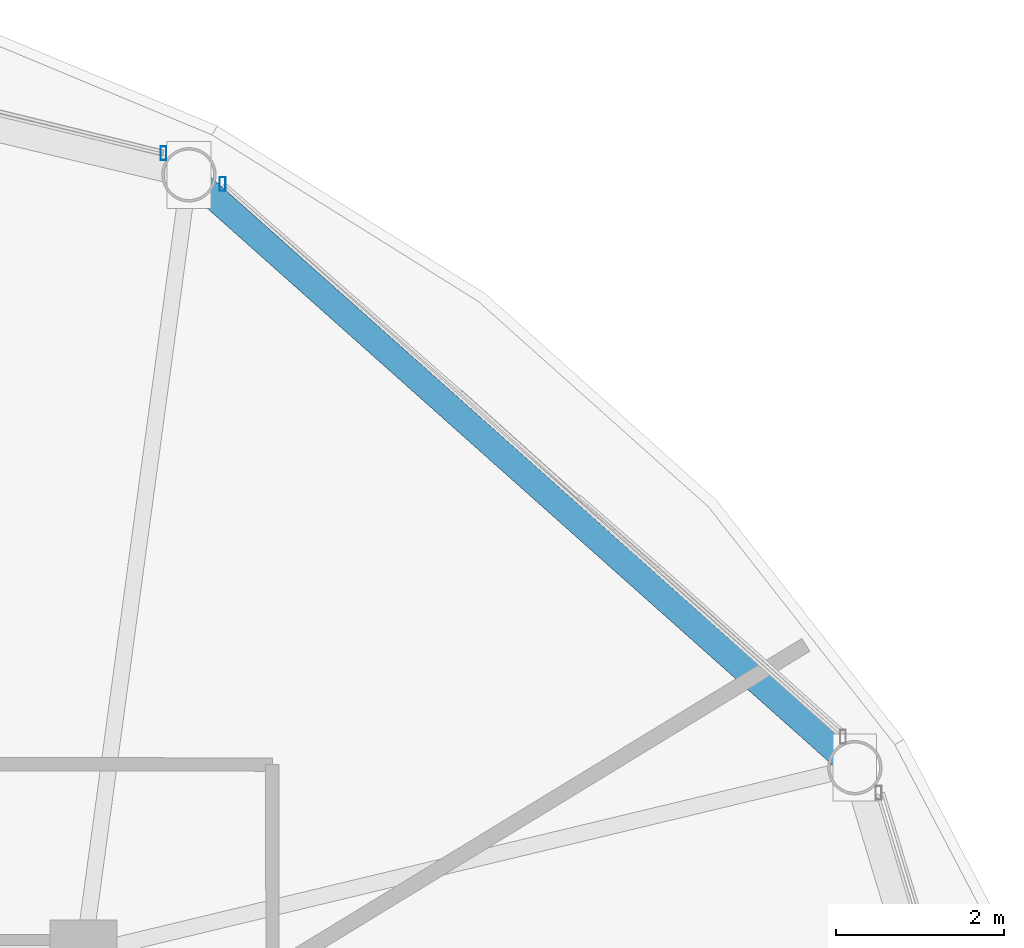
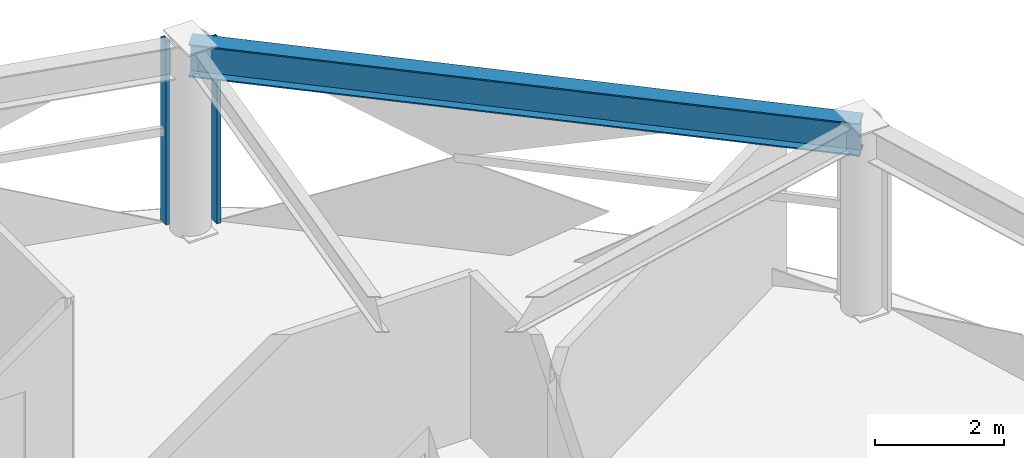
# One storey, part 19 of 28: 2 members, 1 beam, 2 elements without a shape of their own.
"""IFC4 building model written with IfcOpenShell, lengths in metres."""

from ifc_helpers import new_model, si_unit, direction, frame, origin, origin_2d, place, context, subcontext, project, spatial, hollow_rectangle, i_section, extrude, material, layer, layer_set, material_profile, profile_set, type_object, element, aggregate, save


model = new_model("IFC4")

# Units and contexts
model_context = context("Model", 3, precision=1e-05, world=origin(), true_north=direction((0.0, 1.0)))
body_context = subcontext(model_context, "Body", "Model", "MODEL_VIEW")
ifc_project = project(units=[si_unit("LENGTHUNIT", "METRE"), si_unit("AREAUNIT", "SQUARE_METRE"), si_unit("VOLUMEUNIT", "CUBIC_METRE"), si_unit("PLANEANGLEUNIT", "RADIAN"), si_unit("MASSUNIT", "GRAM", prefix="KILO")], contexts=[model_context])

# Site, building, storey
site_placement = place(None, origin())
site = spatial("IfcSite", under=ifc_project, at=site_placement, CompositionType="ELEMENT")
building_placement = place(site_placement, origin())
building = spatial("IfcBuilding", under=site, at=building_placement, Name="Vantalir Tower", CompositionType="ELEMENT")
storey_placement = place(building_placement, frame((0.0, 0.0, 246.14990234375)))
storey = spatial("IfcBuildingStorey", under=building, at=storey_placement, Name="L62", CompositionType="ELEMENT", Elevation=246.14990234375)

# Beam
ifc_material_1 = material(Name="Steel S460", Category="steel")
ifc_material_profile_1 = material_profile(ifc_material_1, i_section(OverallWidth=0.306884765625, OverallDepth=0.6201171875, WebThickness=0.01416015625, FlangeThickness=0.023681640625, at=origin_2d()), Name="Steel S460")
ifc_profile_set_1 = profile_set([ifc_material_profile_1], Name="Steel S460")
beam_type = type_object("IfcBeamType", Name="BM-RG-610x305", PredefinedType="USERDEFINED", material=ifc_profile_set_1)
beam_placement = place(storey_placement, frame((50.30810546875, 34.666015625, 3.260009765625), z_axis=(-0.746899058065, 0.664937438456, 0.0), x_axis=(-0.664937438456, -0.746899058065, 0.0)))
element("IfcBeam", 1, at=beam_placement, inside=storey, type_object=beam_type, Name="L62 Circumferential Ring Girder 02", ObjectType="GIRDER", PredefinedType="USERDEFINED", context=body_context, shape_type="SweptSolid", body=[
    extrude(i_section(OverallWidth=0.306884765625, OverallDepth=0.6201171875, WebThickness=0.01416015625, FlangeThickness=0.023681640625, at=origin_2d()), origin(), (0.0, 0.0, 1.0), 10.64306640625),
])

# Curtain wall, member
ifc_material_2 = material(Name="Champagne-silver PVDF aluminium and double-silver Low-E glass", Category="aluminium")
ifc_layer = layer(ifc_material_2, 0.2099609375)
ifc_layer_set = layer_set([ifc_layer], Name="Champagne-silver PVDF aluminium and double-silver Low-E glass")
curtain_wall_type = type_object("IfcCurtainWallType", Name="CW-DIAMOND-Z3", PredefinedType="USERDEFINED", material=ifc_layer_set)
curtain_wall_1_placement = place(storey_placement, origin())
curtain_wall_1 = element("IfcCurtainWall", 2, at=curtain_wall_1_placement, inside=storey, type_object=curtain_wall_type, Name="L62 Quilted Pyramid-Diamond Curtain Wall S02", ObjectType="UNITISED CURTAIN WALL", PredefinedType="USERDEFINED")
ifc_material_3 = material(Name="Champagne-silver PVDF aluminium 6063-T6", Category="aluminium")
ifc_material_profile_2 = material_profile(ifc_material_3, hollow_rectangle(XDim=0.070068359375, YDim=0.1650390625, WallThickness=0.00390625, at=origin_2d()), Name="Champagne-silver PVDF aluminium 6063-T6")
ifc_profile_set_2 = profile_set([ifc_material_profile_2], Name="Champagne-silver PVDF aluminium 6063-T6")
member_type = type_object("IfcMemberType", Name="CWM-165x70", PredefinedType="MULLION", material=ifc_profile_set_2)
member_1_placement = place(storey_placement, frame((42.760009765625, 41.634033203125, 0.045166015625), z_axis=(0.0, 0.0, 1.0), x_axis=(1.0, 0.0, 0.0)))
member_1 = element("IfcMember", 3, at=member_1_placement, type_object=member_type, Name="CW-L62-S02 Mullion 2", PredefinedType="MULLION", context=body_context, shape_type="SweptSolid", body=[
    extrude(hollow_rectangle(XDim=0.070068359375, YDim=0.1650390625, WallThickness=0.00390625, at=origin_2d()), origin(), (0.0, 0.0, 1.0), 3.47998046875),
])
aggregate(curtain_wall_1, [member_1])

curtain_wall_2_placement = place(storey_placement, origin())
curtain_wall_2 = element("IfcCurtainWall", 4, at=curtain_wall_2_placement, inside=storey, type_object=curtain_wall_type, Name="L62 Quilted Pyramid-Diamond Curtain Wall S03", ObjectType="UNITISED CURTAIN WALL", PredefinedType="USERDEFINED")
member_2_placement = place(storey_placement, frame((42.054931640625, 42.001953125, 0.045166015625), z_axis=(0.0, 0.0, 1.0), x_axis=(1.0, 0.0, 0.0)))
member_2 = element("IfcMember", 5, at=member_2_placement, type_object=member_type, Name="CW-L62-S03 Mullion 1", PredefinedType="MULLION", context=body_context, shape_type="SweptSolid", body=[
    extrude(hollow_rectangle(XDim=0.070068359375, YDim=0.1650390625, WallThickness=0.00390625, at=origin_2d()), origin(), (0.0, 0.0, 1.0), 3.47998046875),
])
aggregate(curtain_wall_2, [member_2])

save(model, "model.ifc")
